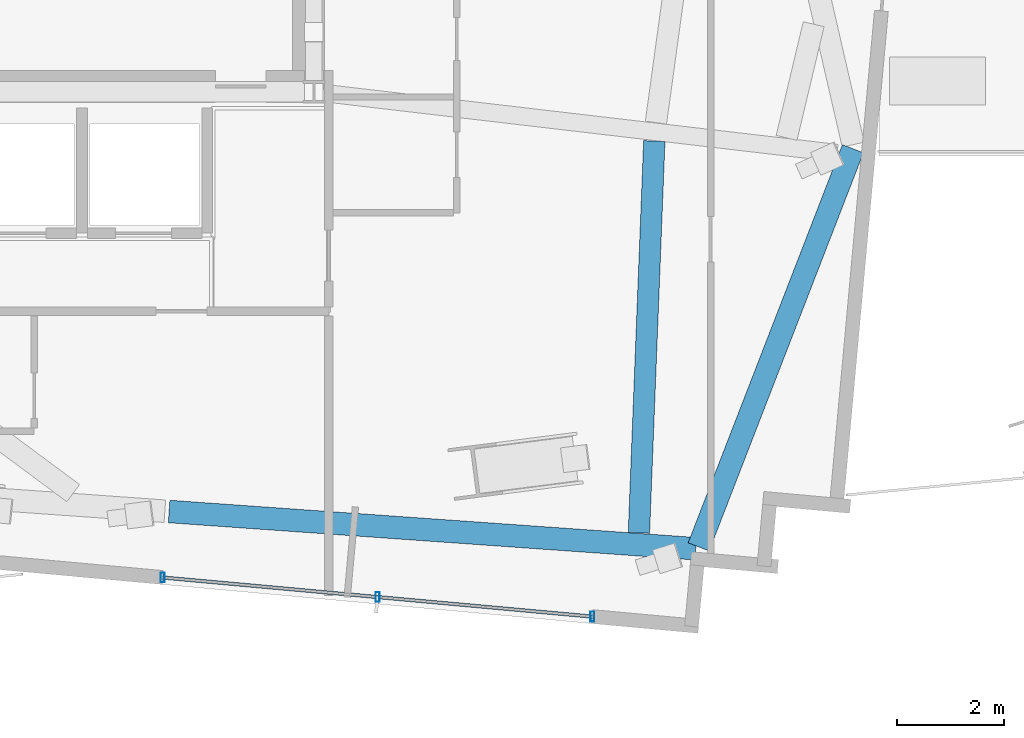
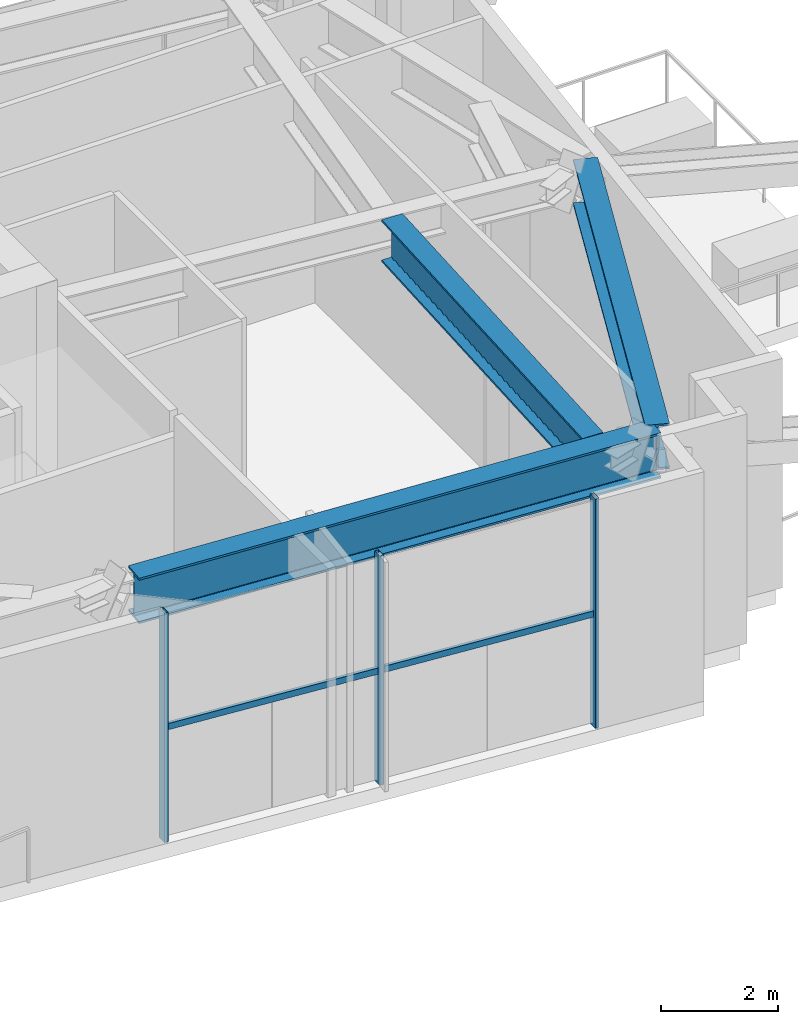
# One storey, part 9 of 20: 5 members, 3 beams, 1 element without a shape of its own.
"""IFC4 building model written with IfcOpenShell, lengths in metres."""

from ifc_helpers import new_model, si_unit, direction, frame, origin, origin_2d, place, context, subcontext, project, spatial, hollow_rectangle, i_section, extrude, source, transform, mapped, material, material_profile, profile_set, type_object, type_shapes, element, aggregate, save


model = new_model("IFC4")

# Units and contexts
model_context = context("Model", 3, precision=1e-05, world=origin(), true_north=direction((0.0, 1.0)))
body_context = subcontext(model_context, "Body", "Model", "MODEL_VIEW")
ifc_project = project(units=[si_unit("LENGTHUNIT", "METRE"), si_unit("AREAUNIT", "SQUARE_METRE"), si_unit("VOLUMEUNIT", "CUBIC_METRE"), si_unit("PLANEANGLEUNIT", "RADIAN"), si_unit("MASSUNIT", "GRAM", prefix="KILO")], contexts=[model_context])

# Site, building, storey
site_placement = place(None, origin())
site = spatial("IfcSite", under=ifc_project, at=site_placement, CompositionType="ELEMENT")
building_placement = place(site_placement, origin())
building = spatial("IfcBuilding", under=site, at=building_placement, Name="Astriad Promenade Condominiums", CompositionType="ELEMENT")
storey_placement = place(building_placement, frame((0.0, 0.0, 211.39990234375)))
storey = spatial("IfcBuildingStorey", under=building, at=storey_placement, Name="L61", CompositionType="ELEMENT", Elevation=211.39990234375)

# Beams
ifc_material_1 = material(Name="Steel ASTM A992 Grade 50", Category="steel")
ifc_material_profile_1 = material_profile(ifc_material_1, i_section(OverallWidth=0.423095703125, OverallDepth=0.9482421875, WebThickness=0.02392578125, FlangeThickness=0.042724609375, FilletRadius=0.024169921875, at=origin_2d()), Name="W36X302")
ifc_profile_set_1 = profile_set([ifc_material_profile_1], Name="Steel ASTM A992 Grade 50")
beam_type_1 = type_object("IfcBeamType", Name="STEEL PERIMETER RING GIRDER W36X302", PredefinedType="BEAM", material=ifc_profile_set_1)
shared_shape_1 = source(origin(), body_context, "Body", "SweptSolid", [
    extrude(i_section(OverallWidth=0.423095703125, OverallDepth=0.9482421875, WebThickness=0.02392578125, FlangeThickness=0.042724609375, FilletRadius=0.024169921875, at=origin_2d()), origin(), (0.0, 0.0, 1.0), 9.9072265625),
])
beam_1_placement = place(storey_placement, frame((42.883056640625, 9.52587890625, 4.305908203125), z_axis=(0.997511585316, -0.070502745759, 0.0), x_axis=(0.070502745759, 0.997511585316, 0.0)))
element("IfcBeam", 1, at=beam_1_placement, inside=storey, type_object=beam_type_1, Name="Perimeter Spandrel Beam SP-S4-L61", PredefinedType="BEAM", context=body_context, shape_type="MappedRepresentation", body=[
    mapped(shared_shape_1, transform((0.0, 0.0, 0.0), scale=1.0)),
])
shared_shape_2 = source(origin(), body_context, "Body", "SweptSolid", [
    extrude(i_section(OverallWidth=0.423095703125, OverallDepth=0.9482421875, WebThickness=0.02392578125, FlangeThickness=0.042724609375, FilletRadius=0.024169921875, at=origin_2d()), origin(), (0.0, 0.0, 1.0), 8.012451171875),
])
type_shapes(beam_type_1, [shared_shape_1, shared_shape_2])
beam_2_placement = place(storey_placement, frame((52.820068359375, 8.86181640625, 4.305908203125), z_axis=(0.361313782423, 0.932444288219, 0.0), x_axis=(-0.932444288219, 0.361313782423, 0.0)))
element("IfcBeam", 2, at=beam_2_placement, inside=storey, type_object=beam_type_1, Name="Perimeter Spandrel Beam SP-E1-L61", PredefinedType="BEAM", context=body_context, shape_type="MappedRepresentation", body=[
    mapped(shared_shape_2, transform((0.0, 0.0, 0.0), scale=1.0)),
])
ifc_material_profile_2 = material_profile(ifc_material_1, i_section(OverallWidth=0.4013671875, OverallDepth=0.877197265625, WebThickness=0.022216796875, FlangeThickness=0.039794921875, FilletRadius=0.02294921875, at=origin_2d()), Name="W33X263")
ifc_profile_set_2 = profile_set([ifc_material_profile_2], Name="Steel ASTM A992 Grade 50")
beam_type_2 = type_object("IfcBeamType", Name="STEEL TRANSFER CARRIER GIRDER W33X263", PredefinedType="BEAM", material=ifc_profile_set_2)
shared_shape_3 = source(origin(), body_context, "Body", "SweptSolid", [
    extrude(i_section(OverallWidth=0.4013671875, OverallDepth=0.877197265625, WebThickness=0.022216796875, FlangeThickness=0.039794921875, FilletRadius=0.02294921875, at=origin_2d()), origin(), (0.0, 0.0, 1.0), 7.358642578125),
])
type_shapes(beam_type_2, [shared_shape_3])
beam_3_placement = place(storey_placement, frame((51.98828125, 16.477783203125, 4.341552734375), z_axis=(-0.039248571367, -0.999229477971, 0.0), x_axis=(0.999229477971, -0.039248571367, 0.0)))
element("IfcBeam", 3, at=beam_3_placement, inside=storey, type_object=beam_type_2, Name="Transfer Splice Carrier TRM-SP-PC05-L61", PredefinedType="BEAM", context=body_context, shape_type="MappedRepresentation", body=[
    mapped(shared_shape_3, transform((0.0, 0.0, 0.0), scale=1.0)),
])

# Curtain wall, members
ifc_material_2 = material(Name="Anodised aluminium Black Dark Glass Unitised", Category="aluminium")
curtain_wall_type = type_object("IfcCurtainWallType", Name="CW-B5-DARK", PredefinedType="USERDEFINED", material=ifc_material_2)
curtain_wall_placement = place(storey_placement, origin())
curtain_wall = element("IfcCurtainWall", 4, at=curtain_wall_placement, inside=storey, type_object=curtain_wall_type, Name="CW-L61-S-1", ObjectType="UNITISED_CURTAIN_WALL", PredefinedType="USERDEFINED")
ifc_material_3 = material(Name="Anodised aluminium 6063-T6 Black", Category="aluminium")
ifc_material_profile_3 = material_profile(ifc_material_3, hollow_rectangle(XDim=0.074951171875, YDim=0.18505859375, WallThickness=0.00439453125, at=origin_2d()), Name="ALU-MUL-75X185")
ifc_profile_set_3 = profile_set([ifc_material_profile_3], Name="Anodised aluminium 6063-T6 Black")
member_type_1 = type_object("IfcMemberType", Name="MUL-ALU-MUL-75X185", PredefinedType="MULLION", material=ifc_profile_set_3)
shared_shape_4 = source(origin(), body_context, "Body", "SweptSolid", [
    extrude(hollow_rectangle(XDim=0.074951171875, YDim=0.18505859375, WallThickness=0.00439453125, at=origin_2d()), origin(), (0.0, 0.0, 1.0), 4.780029296875),
])
type_shapes(member_type_1, [shared_shape_4])
member_1_placement = place(storey_placement, frame((50.827392578125, 7.55322265625, 0.0), z_axis=(0.0, 0.0, 1.0), x_axis=(1.0, 0.0, 0.0)))
member_1 = element("IfcMember", 5, at=member_1_placement, type_object=member_type_1, Name="CW-L61-S-1-MUL-00", PredefinedType="MULLION", context=body_context, shape_type="MappedRepresentation", body=[
    mapped(shared_shape_4, transform((0.0, 0.0, 0.0), scale=1.0)),
])
member_2_placement = place(storey_placement, frame((46.794189453125, 7.92041015625, 0.0), z_axis=(0.0, 0.0, 1.0), x_axis=(1.0, 0.0, 0.0)))
member_2 = element("IfcMember", 6, at=member_2_placement, type_object=member_type_1, Name="CW-L61-S-1-MUL-01", PredefinedType="MULLION", context=body_context, shape_type="MappedRepresentation", body=[
    mapped(shared_shape_4, transform((0.0, 0.0, 0.0), scale=1.0)),
])
member_3_placement = place(storey_placement, frame((42.7607421875, 8.287353515625, 0.0), z_axis=(0.0, 0.0, 1.0), x_axis=(1.0, 0.0, 0.0)))
member_3 = element("IfcMember", 7, at=member_3_placement, type_object=member_type_1, Name="CW-L61-S-1-MUL-02", PredefinedType="MULLION", context=body_context, shape_type="MappedRepresentation", body=[
    mapped(shared_shape_4, transform((0.0, 0.0, 0.0), scale=1.0)),
])
ifc_material_profile_4 = material_profile(ifc_material_3, hollow_rectangle(XDim=0.06494140625, YDim=0.1298828125, WallThickness=0.00390625, at=origin_2d()), Name="ALU-TRN-65X130")
ifc_profile_set_4 = profile_set([ifc_material_profile_4], Name="Anodised aluminium 6063-T6 Black")
member_type_2 = type_object("IfcMemberType", Name="TRN-ALU-TRN-65X130", PredefinedType="USERDEFINED", material=ifc_profile_set_4)
shared_shape_5 = source(origin(), body_context, "Body", "SweptSolid", [
    extrude(hollow_rectangle(XDim=0.06494140625, YDim=0.1298828125, WallThickness=0.00390625, at=origin_2d()), origin(), (0.0, 0.0, 1.0), 4.0498046875),
])
member_4_placement = place(storey_placement, frame((50.827392578125, 7.55322265625, 2.35009765625), z_axis=(-0.9958813389, 0.090666194534, 0.0), x_axis=(-0.090666194534, -0.9958813389, 0.0)))
member_4 = element("IfcMember", 8, at=member_4_placement, type_object=member_type_2, Name="CW-L61-S-1-TRN-00-0", ObjectType="TRANSOM", PredefinedType="USERDEFINED", context=body_context, shape_type="MappedRepresentation", body=[
    mapped(shared_shape_5, transform((0.0, 0.0, 0.0), scale=1.0)),
])
shared_shape_6 = source(origin(), body_context, "Body", "SweptSolid", [
    extrude(hollow_rectangle(XDim=0.06494140625, YDim=0.1298828125, WallThickness=0.00390625, at=origin_2d()), origin(), (0.0, 0.0, 1.0), 4.050048828125),
])
type_shapes(member_type_2, [shared_shape_5, shared_shape_6])
member_5_placement = place(storey_placement, frame((46.794189453125, 7.92041015625, 2.35009765625), z_axis=(-0.995887275143, 0.090600966923, 0.0), x_axis=(-0.090600966923, -0.995887275143, 0.0)))
member_5 = element("IfcMember", 9, at=member_5_placement, type_object=member_type_2, Name="CW-L61-S-1-TRN-01-0", ObjectType="TRANSOM", PredefinedType="USERDEFINED", context=body_context, shape_type="MappedRepresentation", body=[
    mapped(shared_shape_6, transform((0.0, 0.0, 0.0), scale=1.0)),
])
aggregate(curtain_wall, [member_1, member_2, member_3, member_4, member_5])

save(model, "model.ifc")
